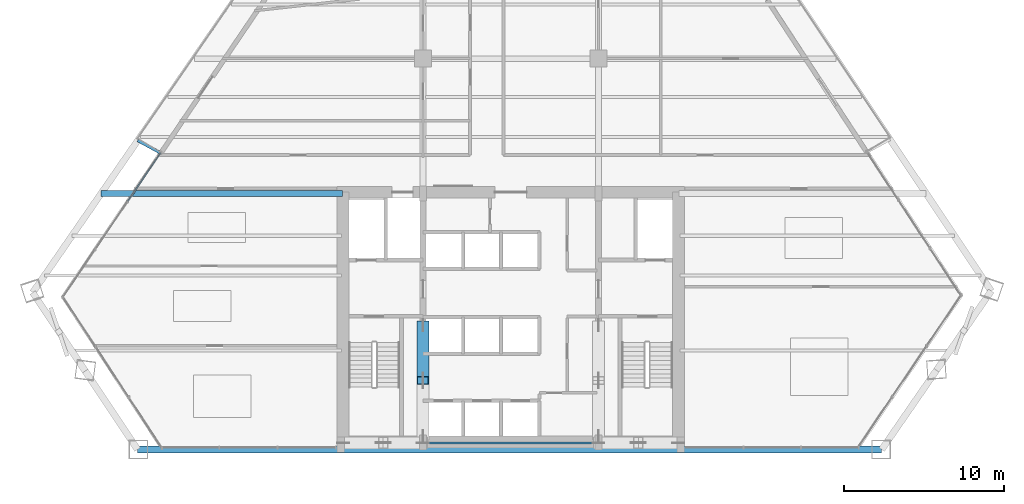
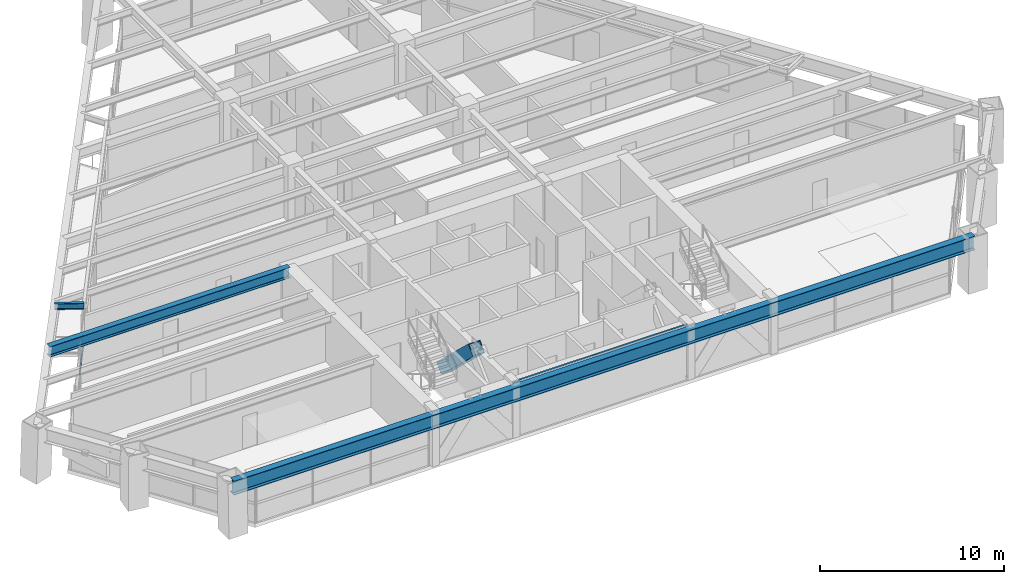
# One storey, part 3 of 14: 4 beams, 2 members, 1 element without a shape of its own.
"""IFC4 building model written with IfcOpenShell, lengths in metres."""

import ifcopenshell
import ifcopenshell.guid

model = None  # the IFC model being written
_history = None  # IfcOwnerHistory: only IFC2X3 demands one
_inside = {}  # id of a spatial element -> (the spatial element, [elements in it])
_under = {}  # id of a project, library or spatial element -> (it, [spatial elements below it])
_declared = {}  # id of a project -> (the project, [libraries it declares])
_typed = {}  # id of a type object -> (the type object, [elements of that type])
_made_of = {}  # id of a material, layer set ... -> (it, [elements and type objects made of it])


def new_model(schema):
    """Start an empty IFC model of exactly this schema.

    Asked for "IFC4X3", IfcOpenShell would pick the latest addendum, in which some entities
    have other attributes; the version numbers below select the first issue.
    IFC2X3 requires an IfcOwnerHistory on every rooted entity: one is made here for all.
    """
    global model, _history
    if schema == "IFC4X3":
        model = ifcopenshell.file(schema_version=(4, 3, 0, 0))
    else:
        model = ifcopenshell.file(schema=schema)
    _inside.clear()
    _under.clear()
    _declared.clear()
    _typed.clear()
    _made_of.clear()
    _history = None
    if model.schema == "IFC2X3":
        org = make("IfcOrganization", Name="unknown")
        user = make(
            "IfcPersonAndOrganization",
            ThePerson=make("IfcPerson", FamilyName="unknown"),
            TheOrganization=org,
        )
        app = make(
            "IfcApplication",
            ApplicationDeveloper=org,
            Version="unknown",
            ApplicationFullName="unknown",
            ApplicationIdentifier="unknown",
        )
        _history = make(
            "IfcOwnerHistory",
            OwningUser=user,
            OwningApplication=app,
            ChangeAction="ADDED",
            CreationDate=0,
        )
    return model


def make(cls, **values):
    """One entity of the class cls with the attributes given. An attribute that is None is left unset."""
    return model.create_entity(
        cls, **{name: value for name, value in values.items() if value is not None}
    )


def rooted(cls, **values):
    """An entity with a GlobalId (a new one), such as an element, a storey or a relation."""
    return make(cls, GlobalId=ifcopenshell.guid.new(), OwnerHistory=_history, **values)


def si_unit(unit_type, name, prefix=None):
    """IfcSIUnit, for example si_unit("LENGTHUNIT", "METRE", prefix="MILLI")."""
    return make("IfcSIUnit", UnitType=unit_type, Prefix=prefix, Name=name)


def assignment(units):
    """IfcUnitAssignment: the units of a project."""
    return None if units is None else make("IfcUnitAssignment", Units=units)


def point(xyz):
    """IfcCartesianPoint."""
    return None if xyz is None else make("IfcCartesianPoint", Coordinates=xyz)


def direction(xyz):
    """IfcDirection."""
    return None if xyz is None else make("IfcDirection", DirectionRatios=xyz)


def frame(location, z_axis=None, x_axis=None):
    """IfcAxis2Placement3D, a coordinate frame: its origin and axes. An axis left out is left unset."""
    return make(
        "IfcAxis2Placement3D",
        Location=point(location),
        Axis=direction(z_axis),
        RefDirection=direction(x_axis),
    )


def frame_2d(location, x_axis=None):
    """IfcAxis2Placement2D, a coordinate frame in the plane: its origin and x axis."""
    return make(
        "IfcAxis2Placement2D", Location=point(location), RefDirection=direction(x_axis)
    )


def origin():
    """The frame at (0, 0, 0) with its axes left unset."""
    return frame((0.0, 0.0, 0.0))


def origin_2d():
    """The frame at (0, 0) in the plane with its x axis left unset."""
    return frame_2d((0.0, 0.0))


def place(relative_to, where):
    """IfcLocalPlacement: puts the frame where relative to a parent placement (None: the world)."""
    return make(
        "IfcLocalPlacement", PlacementRelTo=relative_to, RelativePlacement=where
    )


def context(
    kind, dimensions, precision=None, world=None, true_north=None, identifier=None
):
    """IfcGeometricRepresentationContext, for example the 3D "Model" context."""
    return make(
        "IfcGeometricRepresentationContext",
        ContextIdentifier=identifier,
        ContextType=kind,
        CoordinateSpaceDimension=dimensions,
        Precision=precision,
        WorldCoordinateSystem=world,
        TrueNorth=true_north,
    )


def subcontext(parent, identifier, kind, view, scale=None):
    """IfcGeometricRepresentationSubContext, for example "Body" below "Model"."""
    return make(
        "IfcGeometricRepresentationSubContext",
        ContextIdentifier=identifier,
        ContextType=kind,
        ParentContext=parent,
        TargetScale=scale,
        TargetView=view,
    )


def project(units=None, contexts=None):
    """IfcProject with its units and contexts."""
    return rooted(
        "IfcProject",
        Name="project",
        RepresentationContexts=contexts,
        UnitsInContext=assignment(units),
    )


def spatial(cls, under=None, at=None, **own):
    """A site, building, storey or space (cls), placed at a placement, below another one or the project."""
    s = rooted(cls, ObjectPlacement=at, **own)
    if under is not None:
        _under.setdefault(under.id(), (under, []))[1].append(s)
    return s


def profile(cls, at=None, kind="AREA", **sizes):
    """A parametric profile (cls). Its sizes go by their IFC names, for example OverallWidth=200.0."""
    return make(cls, ProfileType=kind, Position=at, **sizes)


def rectangle(**sizes):
    """IfcRectangleProfileDef."""
    return profile("IfcRectangleProfileDef", **sizes)


def hollow_rectangle(**sizes):
    """IfcRectangleHollowProfileDef."""
    return profile("IfcRectangleHollowProfileDef", **sizes)


def i_section(**sizes):
    """IfcIShapeProfileDef."""
    return profile("IfcIShapeProfileDef", **sizes)


def extrude(swept, where, along, depth):
    """IfcExtrudedAreaSolid: the profile swept, set in the frame where, extruded along a direction by depth."""
    return make(
        "IfcExtrudedAreaSolid",
        SweptArea=swept,
        Position=where,
        ExtrudedDirection=direction(along),
        Depth=depth,
    )


def shape(context_of_items, identifier, shape_type, items):
    """IfcShapeRepresentation: the items that make up one representation, for example the "Body"."""
    return make(
        "IfcShapeRepresentation",
        ContextOfItems=context_of_items,
        RepresentationIdentifier=identifier,
        RepresentationType=shape_type,
        Items=items,
    )


def source(mapping_origin, context_of_items, identifier, shape_type, items):
    """IfcRepresentationMap: a shape defined once, which mapped items show again and again."""
    return make(
        "IfcRepresentationMap",
        MappingOrigin=mapping_origin,
        MappedRepresentation=shape(context_of_items, identifier, shape_type, items),
    )


def transform(
    local_origin,
    x_axis=None,
    y_axis=None,
    z_axis=None,
    scale=None,
    scale2=None,
    scale3=None,
    uniform=True,
):
    """IfcCartesianTransformationOperator3D, or its non-uniform kind. x_axis, y_axis, z_axis: its Axis1, 2, 3."""
    if uniform:
        return make(
            "IfcCartesianTransformationOperator3D",
            Axis1=direction(x_axis),
            Axis2=direction(y_axis),
            LocalOrigin=point(local_origin),
            Scale=scale,
            Axis3=direction(z_axis),
        )
    return make(
        "IfcCartesianTransformationOperator3DnonUniform",
        Axis1=direction(x_axis),
        Axis2=direction(y_axis),
        LocalOrigin=point(local_origin),
        Scale=scale,
        Axis3=direction(z_axis),
        Scale2=scale2,
        Scale3=scale3,
    )


def mapped(mapping_source, mapping_target):
    """IfcMappedItem: shows the shape of a source again, moved by a transform."""
    return make(
        "IfcMappedItem", MappingSource=mapping_source, MappingTarget=mapping_target
    )


def material(Name=None, Category=None):
    """IfcMaterial."""
    return make("IfcMaterial", Name=Name, Category=Category)


def material_profile(
    of_material, cross_section, Name=None, Category=None, Priority=None
):
    """IfcMaterialProfile: a cross section and its material."""
    return make(
        "IfcMaterialProfile",
        Name=Name,
        Material=of_material,
        Profile=cross_section,
        Priority=Priority,
        Category=Category,
    )


def profile_set(profiles, Name=None, composite=None):
    """IfcMaterialProfileSet."""
    return make(
        "IfcMaterialProfileSet",
        Name=Name,
        MaterialProfiles=profiles,
        CompositeProfile=composite,
    )


def made_of(thing, what):
    """Note that an element or type object is made of a material, layer set ...; save() writes the relation."""
    if what is not None:
        _made_of.setdefault(what.id(), (what, []))[1].append(thing)
    return thing


def type_object(cls, material=None, **own):
    """A type object (cls), such as IfcWallType, which elements share."""
    return made_of(rooted(cls, **own), material)


def type_shapes(of_type, sources):
    """Give a type object the sources (RepresentationMaps) that its elements show as mapped items."""
    of_type.RepresentationMaps = sources


def element(
    cls,
    number,
    at=None,
    inside=None,
    cuts=None,
    type_object=None,
    material=None,
    context=None,
    identifier="Body",
    shape_type=None,
    held_by="IfcProductDefinitionShape",
    body=None,
    shapes=None,
    **own,
):
    """One element of the class cls, such as IfcWall. Its Tag is "e" and its number.

    at: its placement. inside: the storey or other place that contains it. cuts: it is an
    opening in that element (IfcRelVoidsElement). A single representation is given by context,
    identifier, shape_type and body (its items); several are given by shapes. held_by: the class
    of the entity that holds the representations. save() writes the other relations.
    """
    e = rooted(cls, Tag="e%d" % number, ObjectPlacement=at, **own)
    if body is not None:
        shapes = [shape(context, identifier, shape_type, body)]
    if shapes is not None:
        e.Representation = make(held_by, Representations=shapes)
    if inside is not None:
        _inside.setdefault(inside.id(), (inside, []))[1].append(e)
    if cuts is not None:
        rooted(
            "IfcRelVoidsElement", RelatingBuildingElement=cuts, RelatedOpeningElement=e
        )
    if type_object is not None:
        _typed.setdefault(type_object.id(), (type_object, []))[1].append(e)
    return made_of(e, material)


def aggregate(whole, parts):
    """IfcRelAggregates: a whole, such as a stair, and the parts it consists of."""
    return rooted("IfcRelAggregates", RelatingObject=whole, RelatedObjects=parts)


def save(model, path):
    """Write the relations noted so far, then the file.

    IfcRelAggregates (storeys below a building ...), IfcRelContainedInSpatialStructure (elements
    in a storey), IfcRelDefinesByType, IfcRelAssociatesMaterial and IfcRelDeclares: one each for
    every whole, place, type object, material and project.
    """
    for whole, parts in _under.values():
        aggregate(whole, parts)
    for where, things in _inside.values():
        rooted(
            "IfcRelContainedInSpatialStructure",
            RelatedElements=things,
            RelatingStructure=where,
        )
    for kind, things in _typed.values():
        rooted("IfcRelDefinesByType", RelatedObjects=things, RelatingType=kind)
    for what, things in _made_of.values():
        rooted("IfcRelAssociatesMaterial", RelatedObjects=things, RelatingMaterial=what)
    for by, libraries in _declared.values():
        rooted("IfcRelDeclares", RelatingContext=by, RelatedDefinitions=libraries)
    model.write(path)


model = new_model("IFC4")

# Units and contexts
model_context = context("Model", 3, precision=1e-05, world=origin(), true_north=direction((0.0, 1.0)))
body_context = subcontext(model_context, "Body", "Model", "MODEL_VIEW")
ifc_project = project(units=[si_unit("LENGTHUNIT", "METRE"), si_unit("AREAUNIT", "SQUARE_METRE"), si_unit("VOLUMEUNIT", "CUBIC_METRE"), si_unit("PLANEANGLEUNIT", "RADIAN"), si_unit("MASSUNIT", "GRAM", prefix="KILO")], contexts=[model_context])

# Site, building, storey
site_placement = place(None, origin())
site = spatial("IfcSite", under=ifc_project, at=site_placement, CompositionType="ELEMENT")
building_placement = place(site_placement, origin())
building = spatial("IfcBuilding", under=site, at=building_placement, Name="Varnakhor Terracotta Tower", CompositionType="ELEMENT")
storey_placement = place(building_placement, frame((0.0, 0.0, 76.60009765625)))
storey = spatial("IfcBuildingStorey", under=building, at=storey_placement, Name="L18", CompositionType="ELEMENT", Elevation=76.60009765625)

# Beam
ifc_material_1 = material(Name="Steel S355", Category="steel")
ifc_material_profile_1 = material_profile(ifc_material_1, i_section(OverallWidth=0.1201171875, OverallDepth=0.239990234375, WebThickness=0.006103515625, FlangeThickness=0.009765625, FilletRadius=0.01806640625, at=origin_2d()), Name="IPE240")
ifc_profile_set_1 = profile_set([ifc_material_profile_1], Name="Steel S355")
beam_type_1 = type_object("IfcBeamType", Name="LNT-IPE240", PredefinedType="LINTEL", material=ifc_profile_set_1)
shared_shape_1 = source(origin(), body_context, "Body", "SweptSolid", [
    extrude(i_section(OverallWidth=0.1201171875, OverallDepth=0.239990234375, WebThickness=0.006103515625, FlangeThickness=0.009765625, FilletRadius=0.01806640625, at=origin_2d()), origin(), (0.0, 0.0, 1.0), 11.0),
])
type_shapes(beam_type_1, [shared_shape_1])
beam_1_placement = place(storey_placement, frame((-5.5, 0.419921875, 3.329833984375), z_axis=(1.0, 0.0, 0.0), x_axis=(0.0, 1.0, 0.0)))
element("IfcBeam", 1, at=beam_1_placement, inside=storey, type_object=beam_type_1, Name="L18 Core South Coupling Lintel", PredefinedType="LINTEL", context=body_context, shape_type="MappedRepresentation", body=[
    mapped(shared_shape_1, transform((0.0, 0.0, 0.0), scale=1.0)),
])

# Member
ifc_material_2 = material(Name="Steel S460", Category="steel")
ifc_material_profile_2 = material_profile(ifc_material_2, hollow_rectangle(XDim=0.75, YDim=0.75, WallThickness=0.044921875, at=origin_2d()), Name="HSS750X750X45")
ifc_profile_set_2 = profile_set([ifc_material_profile_2], Name="Steel S460")
member_type_1 = type_object("IfcMemberType", Name="MBR-MEGA-750", PredefinedType="BRACE", material=ifc_profile_set_2)
shared_shape_2 = source(origin(), body_context, "Body", "SweptSolid", [
    extrude(hollow_rectangle(XDim=0.75, YDim=0.75, WallThickness=0.044921875, at=origin_2d()), origin(), (0.0, 0.0, 1.0), 4.792236328125),
])
member_1_placement = place(storey_placement, frame((-5.5, 7.800048828125, 0.0), z_axis=(0.0, -0.72515968173, 0.688580740359), x_axis=(1.0, 0.0, 0.0)))
element("IfcMember", 2, at=member_1_placement, inside=storey, type_object=member_type_1, Name="L18 Core Coupled Brace CWWB", PredefinedType="BRACE", context=body_context, shape_type="MappedRepresentation", body=[
    mapped(shared_shape_2, transform((0.0, 0.0, 0.0), scale=1.0)),
])

# Beams
ifc_material_profile_3 = material_profile(ifc_material_1, i_section(OverallWidth=0.41796875, OverallDepth=0.927001953125, WebThickness=0.01904296875, FlangeThickness=0.031982421875, FilletRadius=0.01806640625, at=origin_2d()), Name="W36X231")
ifc_profile_set_3 = profile_set([ifc_material_profile_3], Name="Steel S355")
beam_type_2 = type_object("IfcBeamType", Name="BM-W36X231", PredefinedType="BEAM", material=ifc_profile_set_3)
shared_shape_3 = source(origin(), body_context, "Body", "SweptSolid", [
    extrude(i_section(OverallWidth=0.41796875, OverallDepth=0.927001953125, WebThickness=0.01904296875, FlangeThickness=0.031982421875, FilletRadius=0.01806640625, at=origin_2d()), origin(), (0.0, 0.0, 1.0), 46.631591796875),
])
beam_2_placement = place(storey_placement, frame((-23.382568359375, 0.0, 2.986328125), z_axis=(1.0, 0.0, 0.0), x_axis=(0.0, 1.0, 0.0)))
element("IfcBeam", 3, at=beam_2_placement, inside=storey, type_object=beam_type_2, Name="L18 Perimeter Spandrel 1", PredefinedType="BEAM", context=body_context, shape_type="MappedRepresentation", body=[
    mapped(shared_shape_3, transform((0.0, 0.0, 0.0), scale=1.0)),
])
ifc_material_profile_4 = material_profile(ifc_material_1, i_section(OverallWidth=0.35498046875, OverallDepth=0.695068359375, WebThickness=0.014892578125, FlangeThickness=0.02490234375, FilletRadius=0.01806640625, at=origin_2d()), Name="W27X146")
ifc_profile_set_4 = profile_set([ifc_material_profile_4], Name="Steel S355")
beam_type_3 = type_object("IfcBeamType", Name="BM-W27X146", PredefinedType="BEAM", material=ifc_profile_set_4)
shared_shape_4 = source(origin(), body_context, "Body", "SweptSolid", [
    extrude(i_section(OverallWidth=0.35498046875, OverallDepth=0.695068359375, WebThickness=0.014892578125, FlangeThickness=0.02490234375, FilletRadius=0.01806640625, at=origin_2d()), origin(), (0.0, 0.0, 1.0), 15.115966796875),
])
beam_3_placement = place(storey_placement, frame((-25.666015625, 16.050048828125, 3.102294921875), z_axis=(1.0, 0.0, 0.0), x_axis=(0.0, 1.0, 0.0)))
element("IfcBeam", 4, at=beam_3_placement, inside=storey, type_object=beam_type_3, Name="L18 Wing Girder W", PredefinedType="BEAM", context=body_context, shape_type="MappedRepresentation", body=[
    mapped(shared_shape_4, transform((0.0, 0.0, 0.0), scale=1.0)),
])

# Curtain wall, member
ifc_material_3 = material(Name="Anodised Aluminium Curtain Wall System", Category="aluminium")
curtain_wall_type = type_object("IfcCurtainWallType", Name="CW-SYS-LOW-OFFICE", PredefinedType="NOTDEFINED", material=ifc_material_3)
curtain_wall_placement = place(storey_placement, origin())
curtain_wall = element("IfcCurtainWall", 5, at=curtain_wall_placement, inside=storey, type_object=curtain_wall_type, Name="L18 W Facet Curtain Wall 1", PredefinedType="NOTDEFINED")
ifc_material_4 = material(Name="Anodised Aluminium 6063-T6", Category="aluminium")
ifc_material_profile_5 = material_profile(ifc_material_4, rectangle(XDim=0.074951171875, YDim=0.1650390625, at=origin_2d()), Name="ALU TRANSOM 75x165")
ifc_profile_set_5 = profile_set([ifc_material_profile_5], Name="Anodised Aluminium 6063-T6")
member_type_2 = type_object("IfcMemberType", Name="CWT-02", PredefinedType="USERDEFINED", material=ifc_profile_set_5)
shared_shape_5 = source(origin(), body_context, "Body", "SweptSolid", [
    extrude(rectangle(XDim=0.074951171875, YDim=0.1650390625, at=origin_2d()), origin(), (0.0, 0.0, 1.0), 3.647705078125),
])
member_2_placement = place(storey_placement, frame((-23.992431640625, 15.568115234375, 1.2724609375), z_axis=(0.560862943877, 0.827908665365, 0.0), x_axis=(-0.827908665365, 0.560862943877, 0.0)))
member_2 = element("IfcMember", 6, at=member_2_placement, type_object=member_type_2, Name="L18 W Facet Curtain Wall 1 Transom 3", ObjectType="TRANSOM", PredefinedType="USERDEFINED", context=body_context, shape_type="MappedRepresentation", body=[
    mapped(shared_shape_5, transform((0.0, 0.0, 0.0), scale=1.0)),
])
aggregate(curtain_wall, [member_2])

# Beam
ifc_material_profile_6 = material_profile(ifc_material_1, i_section(OverallWidth=0.179931640625, OverallDepth=0.39990234375, WebThickness=0.008544921875, FlangeThickness=0.013427734375, FilletRadius=0.01806640625, at=origin_2d()), Name="IPE400")
ifc_profile_set_6 = profile_set([ifc_material_profile_6], Name="Steel S355")
beam_type_4 = type_object("IfcBeamType", Name="JST-IPE400", PredefinedType="JOIST", material=ifc_profile_set_6)
shared_shape_6 = source(origin(), body_context, "Body", "SweptSolid", [
    extrude(i_section(OverallWidth=0.179931640625, OverallDepth=0.39990234375, WebThickness=0.008544921875, FlangeThickness=0.013427734375, FilletRadius=0.01806640625, at=origin_2d()), origin(), (0.0, 0.0, 1.0), 1.6083984375),
])
beam_4_placement = place(storey_placement, frame((-21.96240234375, 18.59912109375, 3.25), z_axis=(-0.878052140582, 0.478564978263, 0.0), x_axis=(-0.478564978263, -0.878052140582, 0.0)))
element("IfcBeam", 7, at=beam_4_placement, inside=storey, type_object=beam_type_4, Name="L19 W Loggia Tie Beam 1", PredefinedType="JOIST", context=body_context, shape_type="MappedRepresentation", body=[
    mapped(shared_shape_6, transform((0.0, 0.0, 0.0), scale=1.0)),
])

save(model, "model.ifc")
